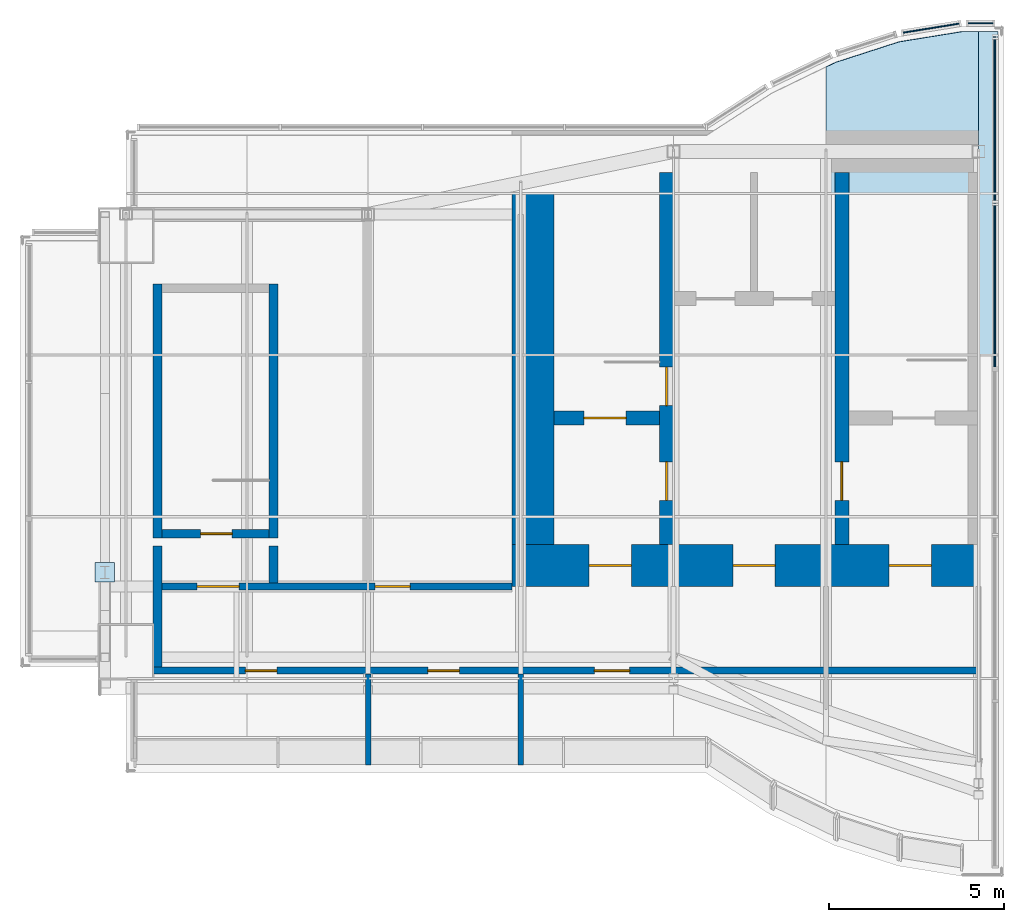
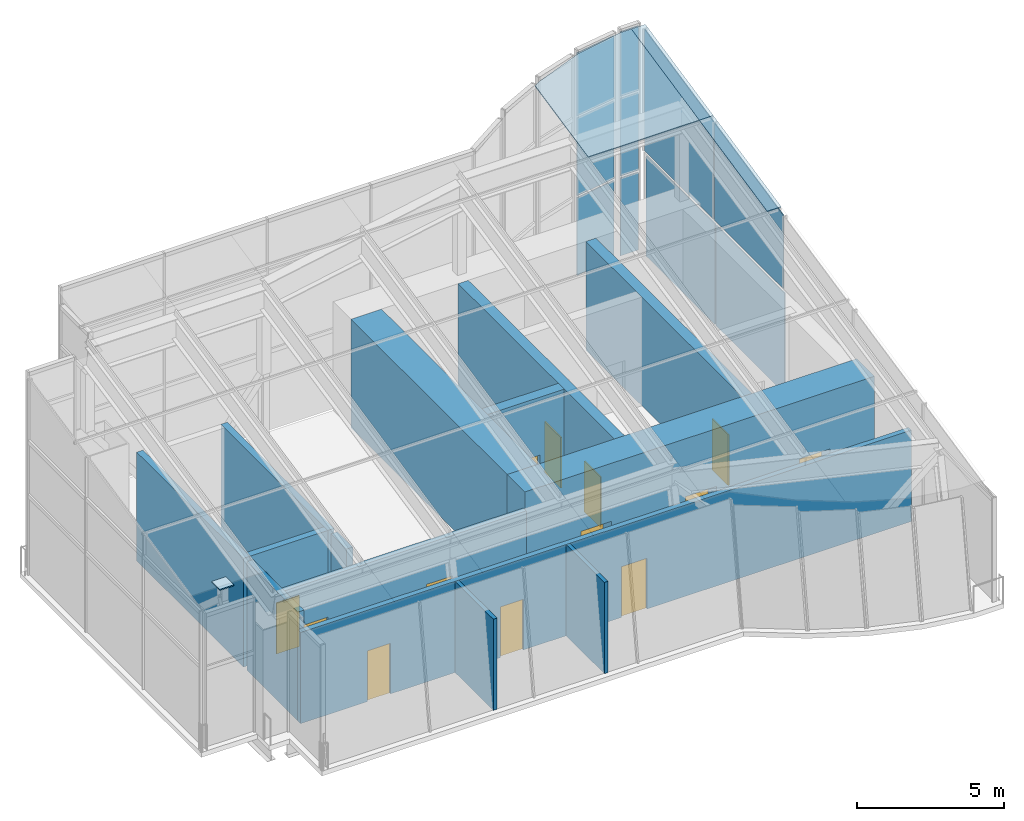
# One storey, part 6 of 8: 14 plates, 14 walls, 13 doors, 13 openings, 6 elements without a shape of their own.
"""IFC4 building model written with IfcOpenShell, lengths in metres."""

from ifc_helpers import new_model, si_unit, direction, frame, frame_2d, origin, origin_2d, place, context, subcontext, project, spatial, polyline, rectangle, outline, extrude, material, layer, layer_set, type_object, element, fill, aggregate, save


model = new_model("IFC4")

# Units and contexts
model_context = context("Model", 3, precision=1e-05, world=origin(), true_north=direction((0.0, 1.0)))
body_context = subcontext(model_context, "Body", "Model", "MODEL_VIEW")
ifc_project = project(units=[si_unit("LENGTHUNIT", "METRE"), si_unit("AREAUNIT", "SQUARE_METRE"), si_unit("VOLUMEUNIT", "CUBIC_METRE"), si_unit("PLANEANGLEUNIT", "RADIAN"), si_unit("MASSUNIT", "GRAM", prefix="KILO")], contexts=[model_context])

# Site, building, storey
site_placement = place(None, origin())
site = spatial("IfcSite", under=ifc_project, at=site_placement, CompositionType="ELEMENT")
building_placement = place(site_placement, origin())
building = spatial("IfcBuilding", under=site, at=building_placement, Name="Bicima Exchange Tower", CompositionType="ELEMENT")
storey_placement = place(building_placement, frame((0.0, 0.0, 379.39990234375)))
storey = spatial("IfcBuildingStorey", under=building, at=storey_placement, Name="L85", CompositionType="ELEMENT", Elevation=379.39990234375)

# Plate
ifc_material_1 = material(Name="Steel ASTM A572 Gr 50", Category="steel")
ifc_layer_1 = layer(ifc_material_1, 0.050048828125)
ifc_layer_set_1 = layer_set([ifc_layer_1], Name="Steel ASTM A572 Gr 50")
plate_type_1 = type_object("IfcPlateType", Name="Column head plate 50", PredefinedType="SHEET", material=ifc_layer_set_1)
plate_1_placement = place(storey_placement, frame((-33.60009765625, -12.60009765625, 4.5), z_axis=(0.0, 0.0, 1.0), x_axis=(1.0, 0.0, 0.0)))
element("IfcPlate", 1, at=plate_1_placement, inside=storey, type_object=plate_type_1, Name="Column head plate end-33.6e", PredefinedType="SHEET", context=body_context, shape_type="SweptSolid", body=[
    extrude(rectangle(XDim=0.552978515625, YDim=0.552978515625, at=origin_2d()), origin(), (0.0, 0.0, 1.0), 0.050048828125),
])

# Curtain wall, plates
ifc_material_2 = material(Name="Anodised bronze aluminium", Category="aluminium")
curtain_wall_type = type_object("IfcCurtainWallType", Name="Crown glass wall", PredefinedType="NOTDEFINED", material=ifc_material_2)
curtain_wall_1_placement = place(storey_placement, origin())
curtain_wall_1 = element("IfcCurtainWall", 2, at=curtain_wall_1_placement, inside=storey, type_object=curtain_wall_type, Name="Crown glass wall L85 run 2", PredefinedType="NOTDEFINED")
ifc_material_3 = material(Name="Bronze tinted glass", Category="glass")
ifc_layer_2 = layer(ifc_material_3, 0.035888671875)
ifc_layer_set_2 = layer_set([ifc_layer_2], Name="Bronze tinted glass")
plate_type_2 = type_object("IfcPlateType", Name="Crown glass wall glass panel 36", PredefinedType="CURTAIN_PANEL", material=ifc_layer_set_2)
plate_2_placement = place(storey_placement, frame((-8.22998046875, -4.470947265625, 0.0), z_axis=(0.0, 0.0, 1.0), x_axis=(0.0, 1.0, 0.0)))
plate_2 = element("IfcPlate", 3, at=plate_2_placement, type_object=plate_type_2, Name="Crown glass wall panel 4.1", PredefinedType="CURTAIN_PANEL", context=body_context, shape_type="SweptSolid", body=[
    extrude(rectangle(XDim=4.66259765625, YDim=0.035888671875, at=origin_2d()), origin(), (0.0, 0.0, 1.0), 4.15771484375),
])
plate_3_placement = place(storey_placement, frame((-8.22998046875, 0.251708984375, 0.0), z_axis=(0.0, 0.0, 1.0), x_axis=(0.0, 1.0, 0.0)))
plate_3 = element("IfcPlate", 4, at=plate_3_placement, type_object=plate_type_2, Name="Crown glass wall panel 5.1", PredefinedType="CURTAIN_PANEL", context=body_context, shape_type="SweptSolid", body=[
    extrude(rectangle(XDim=4.66259765625, YDim=0.035888671875, at=origin_2d()), origin(), (0.0, 0.0, 1.0), 4.15771484375),
])
aggregate(curtain_wall_1, [plate_2, plate_3])

curtain_wall_2_placement = place(storey_placement, origin())
curtain_wall_2 = element("IfcCurtainWall", 5, at=curtain_wall_2_placement, inside=storey, type_object=curtain_wall_type, Name="Crown glass wall L85 run 3", PredefinedType="NOTDEFINED")
plate_4_placement = place(storey_placement, frame((-8.64404296875, 3.052978515625, 0.0), z_axis=(0.0, 0.0, 1.0), x_axis=(-1.0, 0.0, 0.0)))
plate_4 = element("IfcPlate", 6, at=plate_4_placement, type_object=plate_type_2, Name="Crown glass wall panel 1.1", PredefinedType="CURTAIN_PANEL", context=body_context, shape_type="SweptSolid", body=[
    extrude(rectangle(XDim=0.708251953125, YDim=0.035888671875, at=origin_2d()), origin(), (0.0, 0.0, 1.0), 3.219970703125),
])
plate_5_placement = place(storey_placement, frame((-8.64404296875, 3.052978515625, 3.30029296875), z_axis=(0.0, 0.0, 1.0), x_axis=(-1.0, 0.0, 0.0)))
plate_5 = element("IfcPlate", 7, at=plate_5_placement, type_object=plate_type_2, Name="Crown glass wall panel 1.2", PredefinedType="CURTAIN_PANEL", context=body_context, shape_type="SweptSolid", body=[
    extrude(rectangle(XDim=0.708251953125, YDim=0.035888671875, at=origin_2d()), origin(), (0.0, 0.0, 1.0), 3.219970703125),
])
plate_6_placement = place(storey_placement, frame((-8.64404296875, 3.052978515625, 6.60009765625), z_axis=(0.0, 0.0, 1.0), x_axis=(-1.0, 0.0, 0.0)))
plate_6 = element("IfcPlate", 8, at=plate_6_placement, type_object=plate_type_2, Name="Crown glass wall panel 1.3", PredefinedType="CURTAIN_PANEL", context=body_context, shape_type="SweptSolid", body=[
    extrude(rectangle(XDim=0.708251953125, YDim=0.035888671875, at=origin_2d()), origin(), (0.0, 0.0, 1.0), 2.676513671875),
])
aggregate(curtain_wall_2, [plate_4, plate_5, plate_6])

curtain_wall_3_placement = place(storey_placement, origin())
curtain_wall_3 = element("IfcCurtainWall", 9, at=curtain_wall_3_placement, inside=storey, type_object=curtain_wall_type, Name="Crown glass wall L85 run 4", PredefinedType="NOTDEFINED")
plate_7_placement = place(storey_placement, frame((-10.0537109375, 2.910888671875, 0.0), z_axis=(0.0, 0.0, 1.0), x_axis=(-0.987189786347, -0.159550386184, 0.0)))
plate_7 = element("IfcPlate", 10, at=plate_7_placement, type_object=plate_type_2, Name="Crown glass wall panel 1.1", PredefinedType="CURTAIN_PANEL", context=body_context, shape_type="SweptSolid", body=[
    extrude(rectangle(XDim=1.611083984375, YDim=0.035888671875, at=origin_2d()), origin(), (0.0, 0.0, 1.0), 3.219970703125),
])
plate_8_placement = place(storey_placement, frame((-10.0537109375, 2.910888671875, 3.30029296875), z_axis=(0.0, 0.0, 1.0), x_axis=(-0.987189786347, -0.159550386184, 0.0)))
plate_8 = element("IfcPlate", 11, at=plate_8_placement, type_object=plate_type_2, Name="Crown glass wall panel 1.2", PredefinedType="CURTAIN_PANEL", context=body_context, shape_type="SweptSolid", body=[
    extrude(rectangle(XDim=1.611083984375, YDim=0.035888671875, at=origin_2d()), origin(), (0.0, 0.0, 1.0), 3.219970703125),
])
plate_9_placement = place(storey_placement, frame((-10.0537109375, 2.910888671875, 6.60009765625), z_axis=(0.0, 0.0, 1.0), x_axis=(-0.987189786347, -0.159550386184, 0.0)))
plate_9 = element("IfcPlate", 12, at=plate_9_placement, type_object=plate_type_2, Name="Crown glass wall panel 1.3", PredefinedType="CURTAIN_PANEL", context=body_context, shape_type="SweptSolid", body=[
    extrude(rectangle(XDim=1.611083984375, YDim=0.035888671875, at=origin_2d()), origin(), (0.0, 0.0, 1.0), 2.616943359375),
])
aggregate(curtain_wall_3, [plate_7, plate_8, plate_9])

curtain_wall_4_placement = place(storey_placement, origin())
curtain_wall_4 = element("IfcCurtainWall", 13, at=curtain_wall_4_placement, inside=storey, type_object=curtain_wall_type, Name="Gable glazing west 2", PredefinedType="NOTDEFINED")
plate_10_placement = place(storey_placement, frame((-8.22998046875, -6.748291015625, 4.317626953125), z_axis=(1.0, 0.0, 0.0), x_axis=(0.0, 1.0, 0.0)))
plate_10 = element("IfcPlate", 14, at=plate_10_placement, type_object=plate_type_2, Name="Gable glazing panel 4", PredefinedType="CURTAIN_PANEL", context=body_context, shape_type="SweptSolid", body=[
    extrude(outline(polyline([(0.0, 0.0), (4.6806640625, 0.0), (4.6806640625, 4.03076171875), (0.0, 3.035888671875), (0.0, 0.0)])), origin(), (0.0, 0.0, -1.0), 0.035888671875),
])
plate_11_placement = place(storey_placement, frame((-8.22998046875, -2.007568359375, 4.317626953125), z_axis=(1.0, 0.0, 0.0), x_axis=(0.0, 1.0, 0.0)))
plate_11 = element("IfcPlate", 15, at=plate_11_placement, type_object=plate_type_2, Name="Gable glazing panel 5", PredefinedType="CURTAIN_PANEL", context=body_context, shape_type="SweptSolid", body=[
    extrude(outline(polyline([(0.0, 0.0), (4.6806640625, 0.0), (4.6806640625, 5.038330078125), (0.0, 4.04345703125), (0.0, 0.0)])), origin(), (0.0, 0.0, -1.0), 0.035888671875),
])
aggregate(curtain_wall_4, [plate_10, plate_11])

# Curtain wall, plate
curtain_wall_5_placement = place(storey_placement, origin())
curtain_wall_5 = element("IfcCurtainWall", 16, at=curtain_wall_5_placement, inside=storey, type_object=curtain_wall_type, Name="Roof edge glazing west 7.5", PredefinedType="NOTDEFINED")
ifc_material_4 = material(Name="Bronze tinted safety glass, interlayer bonded", Category="glass")
ifc_layer_3 = layer(ifc_material_4, 0.0439453125)
ifc_layer_set_3 = layer_set([ifc_layer_3], Name="Bronze tinted safety glass, interlayer bonded")
plate_type_3 = type_object("IfcPlateType", Name="Glass roof panel 44", PredefinedType="CURTAIN_PANEL", material=ifc_layer_set_3)
plate_12_placement = place(storey_placement, frame((-12.777099609375, 1.9345703125, 9.243896484375), z_axis=(-3.883092e-06, -0.207897148601, 0.978150691657), x_axis=(0.94947630714, 0.306980794534, 0.065249781355)))
plate_12 = element("IfcPlate", 17, at=plate_12_placement, type_object=plate_type_3, Name="Glass roof panel west 7.5", PredefinedType="CURTAIN_PANEL", context=body_context, shape_type="SweptSolid", body=[
    extrude(outline(polyline([(0.0, 0.0), (1.9086899226742193, 7.979727989493313e-17), (3.721145739870073, -0.2841419245799313), (4.152999831716298, -0.4268864400437154), (2.674082650716467, -4.90114896387005), (-1.456232007638896, -3.535919883605045), (-0.3016117741396101, -0.04277360976221091), (0.0, 0.0)])), origin(), (0.0, 0.0, -1.0), 0.0439453125),
])
aggregate(curtain_wall_5, [plate_12])

# Curtain wall, plates
curtain_wall_6_placement = place(storey_placement, origin())
curtain_wall_6 = element("IfcCurtainWall", 18, at=curtain_wall_6_placement, inside=storey, type_object=curtain_wall_type, Name="Roof glazing west", PredefinedType="NOTDEFINED")
plate_13_placement = place(storey_placement, frame((-8.14990234375, -6.405517578125, 7.47119140625), z_axis=(0.0, -0.207918862456, 0.978146076328), x_axis=(-1.0, 0.0, 0.0)))
plate_13 = element("IfcPlate", 19, at=plate_13_placement, type_object=plate_type_3, Name="Glass roof panel west 8.4", PredefinedType="CURTAIN_PANEL", context=body_context, shape_type="SweptSolid", body=[
    extrude(outline(polyline([(0.0, 0.0), (0.550048828125, 0.0), (0.550048828125, -4.7121089282285045), (0.0, -4.7121089282285045), (0.0, 0.0)])), origin(), (0.0, 0.0, -1.0), 0.0439453125),
])
plate_14_placement = place(storey_placement, frame((-8.14990234375, -1.79638671875, 8.450927734375), z_axis=(0.0, -0.207908325848, 0.978148315974), x_axis=(-1.0, 0.0, 0.0)))
plate_14 = element("IfcPlate", 20, at=plate_14_placement, type_object=plate_type_3, Name="Glass roof panel west 8.5", PredefinedType="CURTAIN_PANEL", context=body_context, shape_type="SweptSolid", body=[
    extrude(outline(polyline([(0.0, 0.0), (0.550048828125, 0.0), (0.550048828125, -4.712347733696322), (0.0, -4.712347733696322), (0.0, 0.0)])), origin(), (0.0, 0.0, -1.0), 0.0439453125),
])
aggregate(curtain_wall_6, [plate_13, plate_14])

# Wall, openings, doors
ifc_material_5 = material(Name="Gypsum board partition")
ifc_layer_4 = layer(ifc_material_5, 0.199951171875)
ifc_layer_set_4 = layer_set([ifc_layer_4], Name="Gypsum board partition")
wall_type_1 = type_object("IfcWallType", Name="Fire-rated gypsum partition 200 EI60", PredefinedType="PARTITIONING", material=ifc_layer_set_4)
wall_1_placement = place(storey_placement, frame((-32.22509765625, -15.39990234375, 0.0), z_axis=(0.0, 0.0, 1.0), x_axis=(1.0, 0.0, 0.0)))
wall_1 = element("IfcWall", 21, at=wall_1_placement, inside=storey, type_object=wall_type_1, Name="partition wall 1", PredefinedType="PARTITIONING", context=body_context, shape_type="SweptSolid", body=[
    extrude(rectangle(XDim=23.925048828125, YDim=0.199951171875, at=frame_2d((11.96240234375, 0.0))), origin(), (0.0, 0.0, 1.0), 3.780029296875),
])
opening_1_placement = place(wall_1_placement, frame((2.625, 0.0, 0.0)))
opening_1 = element("IfcOpeningElement", 22, at=opening_1_placement, cuts=wall_1, Name="Opening L85-004", PredefinedType="OPENING", context=body_context, shape_type="SweptSolid", body=[
    extrude(rectangle(XDim=0.89990234375, YDim=2.10009765625, at=frame_2d((0.449951171875, 1.050048828125))), frame((0.0, 0.11181640625, 0.0), z_axis=(0.0, -1.0, 0.0), x_axis=(1.0, 0.0, 0.0)), (0.0, 0.0, 1.0), 0.223876953125),
])
opening_2_placement = place(wall_1_placement, frame((7.824951171875, 0.0, 0.0)))
opening_2 = element("IfcOpeningElement", 23, at=opening_2_placement, cuts=wall_1, Name="Opening L85-005", PredefinedType="OPENING", context=body_context, shape_type="SweptSolid", body=[
    extrude(rectangle(XDim=0.89990234375, YDim=2.10009765625, at=frame_2d((0.449951171875, 1.050048828125))), frame((0.0, 0.11181640625, 0.0), z_axis=(0.0, -1.0, 0.0), x_axis=(1.0, 0.0, 0.0)), (0.0, 0.0, 1.0), 0.223876953125),
])
opening_3_placement = place(wall_1_placement, frame((12.574951171875, 0.0, 0.0)))
opening_3 = element("IfcOpeningElement", 24, at=opening_3_placement, cuts=wall_1, Name="Opening L85-006", PredefinedType="OPENING", context=body_context, shape_type="SweptSolid", body=[
    extrude(rectangle(XDim=1.0, YDim=2.10009765625, at=frame_2d((0.5, 1.050048828125))), frame((0.0, 0.11181640625, 0.0), z_axis=(0.0, -1.0, 0.0), x_axis=(1.0, 0.0, 0.0)), (0.0, 0.0, 1.0), 0.223876953125),
])
ifc_material_6 = material(Name="Steel fire door leaf", Category="steel")
door_type_1 = type_object("IfcDoorType", Name="Door 1000 swing FD30S", OperationType="SINGLE_SWING_LEFT", PredefinedType="DOOR", material=ifc_material_6)
door_1_placement = place(opening_3_placement, frame((1.0, 0.0, 0.0), z_axis=(0.0, 0.0, 1.0), x_axis=(-1.0, 0.0, 0.0)))
door_1 = element("IfcDoor", 25, at=door_1_placement, inside=storey, type_object=door_type_1, Name="Door", OperationType="SINGLE_SWING_RIGHT", OverallHeight=2.10009765625, OverallWidth=1.0, PredefinedType="DOOR", context=body_context, shape_type="SweptSolid", body=[
    extrude(rectangle(XDim=1.0, YDim=2.10009765625, at=frame_2d((0.5, 1.050048828125))), frame((0.0, 0.02490234375, 0.0), z_axis=(0.0, -1.0, 0.0), x_axis=(1.0, 0.0, 0.0)), (0.0, 0.0, 1.0), 0.050048828125),
])
fill(opening_3, door_1)
door_type_2 = type_object("IfcDoorType", Name="Door 900 swing FD30S", OperationType="SINGLE_SWING_LEFT", PredefinedType="DOOR", material=ifc_material_6)
door_2_placement = place(opening_1_placement, frame((0.89990234375, 0.0, 0.0), z_axis=(0.0, 0.0, 1.0), x_axis=(-1.0, 0.0, 0.0)))
door_2 = element("IfcDoor", 26, at=door_2_placement, inside=storey, type_object=door_type_2, Name="Door", OperationType="SINGLE_SWING_LEFT", OverallHeight=2.10009765625, OverallWidth=0.89990234375, PredefinedType="DOOR", context=body_context, shape_type="SweptSolid", body=[
    extrude(rectangle(XDim=0.89990234375, YDim=2.10009765625, at=frame_2d((0.449951171875, 1.050048828125))), frame((0.0, 0.02490234375, 0.0), z_axis=(0.0, -1.0, 0.0), x_axis=(1.0, 0.0, 0.0)), (0.0, 0.0, 1.0), 0.050048828125),
])
fill(opening_1, door_2)
door_3_placement = place(opening_2_placement, frame((0.89990234375, 0.0, 0.0), z_axis=(0.0, 0.0, 1.0), x_axis=(-1.0, 0.0, 0.0)))
door_3 = element("IfcDoor", 27, at=door_3_placement, inside=storey, type_object=door_type_2, Name="Door", OperationType="SINGLE_SWING_RIGHT", OverallHeight=2.10009765625, OverallWidth=0.89990234375, PredefinedType="DOOR", context=body_context, shape_type="SweptSolid", body=[
    extrude(rectangle(XDim=0.89990234375, YDim=2.10009765625, at=frame_2d((0.449951171875, 1.050048828125))), frame((0.0, 0.02490234375, 0.0), z_axis=(0.0, -1.0, 0.0), x_axis=(1.0, 0.0, 0.0)), (0.0, 0.0, 1.0), 0.050048828125),
])
fill(opening_2, door_3)

wall_2_placement = place(storey_placement, frame((-31.97509765625, -13.0, 0.0), z_axis=(0.0, 0.0, 1.0), x_axis=(1.0, 0.0, 0.0)))
wall_2 = element("IfcWall", 28, at=wall_2_placement, inside=storey, type_object=wall_type_1, Name="partition wall 2", PredefinedType="PARTITIONING", context=body_context, shape_type="SweptSolid", body=[
    extrude(rectangle(XDim=9.97509765625, YDim=0.199951171875, at=frame_2d((4.987548828125, 0.0))), origin(), (0.0, 0.0, 1.0), 3.780029296875),
])
opening_4_placement = place(wall_2_placement, frame((1.0, 0.0, 0.0)))
opening_4 = element("IfcOpeningElement", 29, at=opening_4_placement, cuts=wall_2, Name="Opening L85-001", PredefinedType="OPENING", context=body_context, shape_type="SweptSolid", body=[
    extrude(rectangle(XDim=1.199951171875, YDim=2.10009765625, at=frame_2d((0.60009765625, 1.050048828125))), frame((0.0, 0.11181640625, 0.0), z_axis=(0.0, -1.0, 0.0), x_axis=(1.0, 0.0, 0.0)), (0.0, 0.0, 1.0), 0.223876953125),
])
opening_5_placement = place(wall_2_placement, frame((6.074951171875, 0.0, 0.0)))
opening_5 = element("IfcOpeningElement", 30, at=opening_5_placement, cuts=wall_2, Name="Opening L85-003", PredefinedType="OPENING", context=body_context, shape_type="SweptSolid", body=[
    extrude(rectangle(XDim=1.0, YDim=2.10009765625, at=frame_2d((0.5, 1.050048828125))), frame((0.0, 0.11181640625, 0.0), z_axis=(0.0, -1.0, 0.0), x_axis=(1.0, 0.0, 0.0)), (0.0, 0.0, 1.0), 0.223876953125),
])
door_4_placement = place(opening_5_placement, origin())
door_4 = element("IfcDoor", 31, at=door_4_placement, inside=storey, type_object=door_type_1, Name="Door", OperationType="SINGLE_SWING_RIGHT", OverallHeight=2.10009765625, OverallWidth=1.0, PredefinedType="DOOR", context=body_context, shape_type="SweptSolid", body=[
    extrude(rectangle(XDim=1.0, YDim=2.10009765625, at=frame_2d((0.5, 1.050048828125))), frame((0.0, 0.02490234375, 0.0), z_axis=(0.0, -1.0, 0.0), x_axis=(1.0, 0.0, 0.0)), (0.0, 0.0, 1.0), 0.050048828125),
])
fill(opening_5, door_4)
door_type_3 = type_object("IfcDoorType", Name="Door 1200 swing FD30S", OperationType="SINGLE_SWING_LEFT", PredefinedType="DOOR", material=ifc_material_6)
door_5_placement = place(opening_4_placement, origin())
door_5 = element("IfcDoor", 32, at=door_5_placement, inside=storey, type_object=door_type_3, Name="Door", OperationType="SINGLE_SWING_LEFT", OverallHeight=2.10009765625, OverallWidth=1.199951171875, PredefinedType="DOOR", context=body_context, shape_type="SweptSolid", body=[
    extrude(rectangle(XDim=1.199951171875, YDim=2.10009765625, at=frame_2d((0.60009765625, 1.050048828125))), frame((0.0, 0.02490234375, 0.0), z_axis=(0.0, -1.0, 0.0), x_axis=(1.0, 0.0, 0.0)), (0.0, 0.0, 1.0), 0.050048828125),
])
fill(opening_4, door_5)

# Walls
ifc_layer_5 = layer(ifc_material_5, 0.14990234375)
ifc_layer_set_5 = layer_set([ifc_layer_5], Name="Gypsum board partition")
wall_type_2 = type_object("IfcWallType", Name="Gypsum partition 150", PredefinedType="PARTITIONING", material=ifc_layer_set_5)
for number, where, z_axis, x_axis, name in (
    (33, (-26.10009765625, -18.090087890625, 0.0), (0.0, 0.0, 1.0), (0.0, 1.0, 0.0), "partition wall 7"),
    (34, (-21.75, -18.090087890625, 0.0), (0.0, 0.0, 1.0), (0.0, 1.0, 0.0), "partition wall 8"),
):
    element("IfcWall", number, at=place(storey_placement, frame(where, z_axis=z_axis, x_axis=x_axis)), inside=storey, type_object=wall_type_2, Name=name, PredefinedType="PARTITIONING", context=body_context, shape_type="SweptSolid", body=[
        extrude(rectangle(XDim=2.590087890625, YDim=0.14990234375, at=frame_2d((1.294921875, 0.0))), origin(), (0.0, 0.0, 1.0), 3.780029296875),
    ])

# Wall, openings, doors
ifc_material_7 = material(Name="Concrete C40/50", Category="concrete")
ifc_layer_6 = layer(ifc_material_7, 1.199951171875)
ifc_layer_set_6 = layer_set([ifc_layer_6], Name="Concrete C40/50")
wall_type_3 = type_object("IfcWallType", Name="RC core wall 1200 C40/50", PredefinedType="SHEAR", material=ifc_layer_set_6)
wall_3_placement = place(storey_placement, frame((-22.0, -12.39990234375, 0.0), z_axis=(0.0, 0.0, 1.0), x_axis=(1.0, 0.0, 0.0)))
wall_3 = element("IfcWall", 35, at=wall_3_placement, inside=storey, type_object=wall_type_3, Name="Core wall south-W", PredefinedType="SHEAR", context=body_context, shape_type="SweptSolid", body=[
    extrude(rectangle(XDim=13.699951171875, YDim=1.199951171875, at=frame_2d((6.85009765625, 0.0))), origin(), (0.0, 0.0, 1.0), 4.5),
])
opening_6_placement = place(wall_3_placement, frame((2.199951171875, 0.0, 0.0)))
opening_6 = element("IfcOpeningElement", 36, at=opening_6_placement, cuts=wall_3, Name="Opening L85-C06", PredefinedType="OPENING", context=body_context, shape_type="SweptSolid", body=[
    extrude(rectangle(XDim=1.199951171875, YDim=2.10009765625, at=frame_2d((0.60009765625, 1.050048828125))), frame((0.0, 0.61181640625, 0.0), z_axis=(0.0, -1.0, 0.0), x_axis=(1.0, 0.0, 0.0)), (0.0, 0.0, 1.0), 1.223876953125),
])
opening_7_placement = place(wall_3_placement, frame((10.75, 0.0, 0.0)))
opening_7 = element("IfcOpeningElement", 37, at=opening_7_placement, cuts=wall_3, Name="Opening L85-C07", PredefinedType="OPENING", context=body_context, shape_type="SweptSolid", body=[
    extrude(rectangle(XDim=1.199951171875, YDim=2.10009765625, at=frame_2d((0.60009765625, 1.050048828125))), frame((0.0, 0.61181640625, 0.0), z_axis=(0.0, -1.0, 0.0), x_axis=(1.0, 0.0, 0.0)), (0.0, 0.0, 1.0), 1.223876953125),
])
opening_8_placement = place(wall_3_placement, frame((6.300048828125, 0.0, 0.0)))
opening_8 = element("IfcOpeningElement", 38, at=opening_8_placement, cuts=wall_3, Name="Opening L85-C08", PredefinedType="OPENING", context=body_context, shape_type="SweptSolid", body=[
    extrude(rectangle(XDim=1.199951171875, YDim=2.10009765625, at=frame_2d((0.60009765625, 1.050048828125))), frame((0.0, 0.61181640625, 0.0), z_axis=(0.0, -1.0, 0.0), x_axis=(1.0, 0.0, 0.0)), (0.0, 0.0, 1.0), 1.223876953125),
])
door_type_4 = type_object("IfcDoorType", Name="Door 1200 swing FD60S", OperationType="SINGLE_SWING_LEFT", PredefinedType="DOOR", material=ifc_material_6)
door_6_placement = place(opening_6_placement, frame((1.199951171875, 0.0, 0.0), z_axis=(0.0, 0.0, 1.0), x_axis=(-1.0, 0.0, 0.0)))
door_6 = element("IfcDoor", 39, at=door_6_placement, inside=storey, type_object=door_type_4, Name="Core door", OperationType="SINGLE_SWING_RIGHT", OverallHeight=2.10009765625, OverallWidth=1.199951171875, PredefinedType="DOOR", context=body_context, shape_type="SweptSolid", body=[
    extrude(rectangle(XDim=1.199951171875, YDim=2.10009765625, at=frame_2d((0.60009765625, 1.050048828125))), frame((0.0, 0.02490234375, 0.0), z_axis=(0.0, -1.0, 0.0), x_axis=(1.0, 0.0, 0.0)), (0.0, 0.0, 1.0), 0.050048828125),
])
fill(opening_6, door_6)
door_7_placement = place(opening_7_placement, frame((1.199951171875, 0.0, 0.0), z_axis=(0.0, 0.0, 1.0), x_axis=(-1.0, 0.0, 0.0)))
door_7 = element("IfcDoor", 40, at=door_7_placement, inside=storey, type_object=door_type_4, Name="Core door", OperationType="SINGLE_SWING_RIGHT", OverallHeight=2.10009765625, OverallWidth=1.199951171875, PredefinedType="DOOR", context=body_context, shape_type="SweptSolid", body=[
    extrude(rectangle(XDim=1.199951171875, YDim=2.10009765625, at=frame_2d((0.60009765625, 1.050048828125))), frame((0.0, 0.02490234375, 0.0), z_axis=(0.0, -1.0, 0.0), x_axis=(1.0, 0.0, 0.0)), (0.0, 0.0, 1.0), 0.050048828125),
])
fill(opening_7, door_7)
door_8_placement = place(opening_8_placement, frame((1.199951171875, 0.0, 0.0), z_axis=(0.0, 0.0, 1.0), x_axis=(-1.0, 0.0, 0.0)))
door_8 = element("IfcDoor", 41, at=door_8_placement, inside=storey, type_object=door_type_4, Name="Core door", OperationType="SINGLE_SWING_RIGHT", OverallHeight=2.10009765625, OverallWidth=1.199951171875, PredefinedType="DOOR", context=body_context, shape_type="SweptSolid", body=[
    extrude(rectangle(XDim=1.199951171875, YDim=2.10009765625, at=frame_2d((0.60009765625, 1.050048828125))), frame((0.0, 0.02490234375, 0.0), z_axis=(0.0, -1.0, 0.0), x_axis=(1.0, 0.0, 0.0)), (0.0, 0.0, 1.0), 0.050048828125),
])
fill(opening_8, door_8)

# Walls
wall_4_placement = place(storey_placement, frame((-21.39990234375, -11.800048828125, 0.0), z_axis=(0.0, 0.0, 1.0), x_axis=(0.0, 1.0, 0.0)))
element("IfcWall", 42, at=wall_4_placement, inside=storey, type_object=wall_type_3, Name="Core wall outer-W", PredefinedType="SHEAR", context=body_context, shape_type="SweptSolid", body=[
    extrude(rectangle(XDim=10.60009765625, YDim=1.199951171875, at=frame_2d((5.300048828125, 0.0))), origin(), (0.0, 0.0, 1.0), 4.5),
])
ifc_material_8 = material(Name="Concrete C50/60", Category="concrete")
ifc_layer_7 = layer(ifc_material_8, 0.25)
ifc_layer_set_7 = layer_set([ifc_layer_7], Name="Concrete C50/60")
wall_type_4 = type_object("IfcWallType", Name="RC core wall 250 C50/60", PredefinedType="SHEAR", material=ifc_layer_set_7)
wall_5_placement = place(storey_placement, frame((-32.10009765625, -15.300048828125, 0.0), z_axis=(0.0, 0.0, 1.0), x_axis=(0.0, 1.0, 0.0)))
element("IfcWall", 43, at=wall_5_placement, inside=storey, type_object=wall_type_4, Name="stair wall 5", PredefinedType="SHEAR", context=body_context, shape_type="SweptSolid", body=[
    extrude(rectangle(XDim=3.449951171875, YDim=0.25, at=frame_2d((1.72509765625, 0.0))), origin(), (0.0, 0.0, 1.0), 4.5),
])
wall_6_placement = place(storey_placement, frame((-28.800048828125, -12.89990234375, 0.0), z_axis=(0.0, 0.0, 1.0), x_axis=(0.0, 1.0, 0.0)))
element("IfcWall", 44, at=wall_6_placement, inside=storey, type_object=wall_type_4, Name="stair wall 6", PredefinedType="SHEAR", context=body_context, shape_type="SweptSolid", body=[
    extrude(rectangle(XDim=1.0498046875, YDim=0.25, at=frame_2d((0.52490234375, 0.0))), origin(), (0.0, 0.0, 1.0), 4.5),
])

# Wall, opening, door
ifc_layer_8 = layer(ifc_material_8, 0.39990234375)
ifc_layer_set_8 = layer_set([ifc_layer_8], Name="Concrete C50/60")
wall_type_5 = type_object("IfcWallType", Name="RC core wall 400 C50/60", PredefinedType="SHEAR", material=ifc_layer_set_8)
wall_7_placement = place(storey_placement, frame((-20.800048828125, -8.199951171875, 0.0), z_axis=(0.0, 0.0, 1.0), x_axis=(1.0, 0.0, 0.0)))
wall_7 = element("IfcWall", 45, at=wall_7_placement, inside=storey, type_object=wall_type_5, Name="stair wall 1", PredefinedType="SHEAR", context=body_context, shape_type="SweptSolid", body=[
    extrude(rectangle(XDim=3.0, YDim=0.39990234375, at=frame_2d((1.5, 0.0))), origin(), (0.0, 0.0, 1.0), 4.5),
])
opening_9_placement = place(wall_7_placement, frame((0.85009765625, 0.0, 0.0)))
opening_9 = element("IfcOpeningElement", 46, at=opening_9_placement, cuts=wall_7, Name="Opening L85-C01", PredefinedType="OPENING", context=body_context, shape_type="SweptSolid", body=[
    extrude(rectangle(XDim=1.199951171875, YDim=2.10009765625, at=frame_2d((0.60009765625, 1.050048828125))), frame((0.0, 0.2119140625, 0.0), z_axis=(0.0, -1.0, 0.0), x_axis=(1.0, 0.0, 0.0)), (0.0, 0.0, 1.0), 0.423828125),
])
door_9_placement = place(opening_9_placement, origin())
door_9 = element("IfcDoor", 47, at=door_9_placement, inside=storey, type_object=door_type_4, Name="Core door", OperationType="SINGLE_SWING_LEFT", OverallHeight=2.10009765625, OverallWidth=1.199951171875, PredefinedType="DOOR", context=body_context, shape_type="SweptSolid", body=[
    extrude(rectangle(XDim=1.199951171875, YDim=2.10009765625, at=frame_2d((0.60009765625, 1.050048828125))), frame((0.0, 0.02490234375, 0.0), z_axis=(0.0, -1.0, 0.0), x_axis=(1.0, 0.0, 0.0)), (0.0, 0.0, 1.0), 0.050048828125),
])
fill(opening_9, door_9)

# Wall, openings, doors
wall_8_placement = place(storey_placement, frame((-17.60009765625, -11.800048828125, 0.0), z_axis=(0.0, 0.0, 1.0), x_axis=(0.0, 1.0, 0.0)))
wall_8 = element("IfcWall", 48, at=wall_8_placement, inside=storey, type_object=wall_type_5, Name="stair wall 4", PredefinedType="SHEAR", context=body_context, shape_type="SweptSolid", body=[
    extrude(rectangle(XDim=10.60009765625, YDim=0.39990234375, at=frame_2d((5.300048828125, 0.0))), origin(), (0.0, 0.0, 1.0), 4.5),
])
opening_10_placement = place(wall_8_placement, frame((1.25, 0.0, 0.0)))
opening_10 = element("IfcOpeningElement", 49, at=opening_10_placement, cuts=wall_8, Name="Opening L85-C02", PredefinedType="OPENING", context=body_context, shape_type="SweptSolid", body=[
    extrude(rectangle(XDim=1.10009765625, YDim=2.10009765625, at=frame_2d((0.550048828125, 1.050048828125))), frame((0.0, 0.2119140625, 0.0), z_axis=(0.0, -1.0, 0.0), x_axis=(1.0, 0.0, 0.0)), (0.0, 0.0, 1.0), 0.423828125),
])
opening_11_placement = place(wall_8_placement, frame((3.949951171875, 0.0, 0.0)))
opening_11 = element("IfcOpeningElement", 50, at=opening_11_placement, cuts=wall_8, Name="Opening L85-C05", PredefinedType="OPENING", context=body_context, shape_type="SweptSolid", body=[
    extrude(rectangle(XDim=1.10009765625, YDim=2.10009765625, at=frame_2d((0.550048828125, 1.050048828125))), frame((0.0, 0.2119140625, 0.0), z_axis=(0.0, -1.0, 0.0), x_axis=(1.0, 0.0, 0.0)), (0.0, 0.0, 1.0), 0.423828125),
])
door_type_5 = type_object("IfcDoorType", Name="Door 1100 swing FD60S", OperationType="SINGLE_SWING_LEFT", PredefinedType="DOOR", material=ifc_material_6)
door_10_placement = place(opening_10_placement, frame((1.10009765625, 0.0, 0.0), z_axis=(0.0, 0.0, 1.0), x_axis=(-1.0, 0.0, 0.0)))
door_10 = element("IfcDoor", 51, at=door_10_placement, inside=storey, type_object=door_type_5, Name="Core door", OperationType="SINGLE_SWING_LEFT", OverallHeight=2.10009765625, OverallWidth=1.10009765625, PredefinedType="DOOR", context=body_context, shape_type="SweptSolid", body=[
    extrude(rectangle(XDim=1.10009765625, YDim=2.10009765625, at=frame_2d((0.550048828125, 1.050048828125))), frame((0.0, 0.02490234375, 0.0), z_axis=(0.0, -1.0, 0.0), x_axis=(1.0, 0.0, 0.0)), (0.0, 0.0, 1.0), 0.050048828125),
])
fill(opening_10, door_10)
door_11_placement = place(opening_11_placement, frame((1.10009765625, 0.0, 0.0), z_axis=(0.0, 0.0, 1.0), x_axis=(-1.0, 0.0, 0.0)))
door_11 = element("IfcDoor", 52, at=door_11_placement, inside=storey, type_object=door_type_5, Name="Core door", OperationType="SINGLE_SWING_RIGHT", OverallHeight=2.10009765625, OverallWidth=1.10009765625, PredefinedType="DOOR", context=body_context, shape_type="SweptSolid", body=[
    extrude(rectangle(XDim=1.10009765625, YDim=2.10009765625, at=frame_2d((0.550048828125, 1.050048828125))), frame((0.0, 0.02490234375, 0.0), z_axis=(0.0, -1.0, 0.0), x_axis=(1.0, 0.0, 0.0)), (0.0, 0.0, 1.0), 0.050048828125),
])
fill(opening_11, door_11)

# Wall, opening, door
wall_9_placement = place(storey_placement, frame((-12.60009765625, -11.800048828125, 0.0), z_axis=(0.0, 0.0, 1.0), x_axis=(0.0, 1.0, 0.0)))
wall_9 = element("IfcWall", 53, at=wall_9_placement, inside=storey, type_object=wall_type_5, Name="stair wall 6", PredefinedType="SHEAR", context=body_context, shape_type="SweptSolid", body=[
    extrude(rectangle(XDim=10.60009765625, YDim=0.39990234375, at=frame_2d((5.300048828125, 0.0))), origin(), (0.0, 0.0, 1.0), 4.5),
])
opening_12_placement = place(wall_9_placement, frame((1.25, 0.0, 0.0)))
opening_12 = element("IfcOpeningElement", 54, at=opening_12_placement, cuts=wall_9, Name="Opening L85-C04", PredefinedType="OPENING", context=body_context, shape_type="SweptSolid", body=[
    extrude(rectangle(XDim=1.10009765625, YDim=2.10009765625, at=frame_2d((0.550048828125, 1.050048828125))), frame((0.0, 0.2119140625, 0.0), z_axis=(0.0, -1.0, 0.0), x_axis=(1.0, 0.0, 0.0)), (0.0, 0.0, 1.0), 0.423828125),
])
door_12_placement = place(opening_12_placement, origin())
door_12 = element("IfcDoor", 55, at=door_12_placement, inside=storey, type_object=door_type_5, Name="Core door", OperationType="SINGLE_SWING_RIGHT", OverallHeight=2.10009765625, OverallWidth=1.10009765625, PredefinedType="DOOR", context=body_context, shape_type="SweptSolid", body=[
    extrude(rectangle(XDim=1.10009765625, YDim=2.10009765625, at=frame_2d((0.550048828125, 1.050048828125))), frame((0.0, 0.02490234375, 0.0), z_axis=(0.0, -1.0, 0.0), x_axis=(1.0, 0.0, 0.0)), (0.0, 0.0, 1.0), 0.050048828125),
])
fill(opening_12, door_12)

# Walls
ifc_layer_9 = layer(ifc_material_8, 0.25)
ifc_layer_set_9 = layer_set([ifc_layer_9], Name="Concrete C50/60")
wall_type_6 = type_object("IfcWallType", Name="RC stair enclosure wall 250 C50/60", PredefinedType="SHEAR", material=ifc_layer_set_9)
for number, where, z_axis, x_axis, name in (
    (56, (-32.10009765625, -11.625, 0.0), (0.0, 0.0, 1.0), (0.0, 1.0, 0.0), "West end exit stair wall W"),
    (57, (-28.800048828125, -11.625, 0.0), (0.0, 0.0, 1.0), (0.0, 1.0, 0.0), "West end exit stair wall E"),
):
    element("IfcWall", number, at=place(storey_placement, frame(where, z_axis=z_axis, x_axis=x_axis)), inside=storey, type_object=wall_type_6, Name=name, PredefinedType="SHEAR", context=body_context, shape_type="SweptSolid", body=[
        extrude(rectangle(XDim=7.25, YDim=0.25, at=frame_2d((3.625, 0.0))), origin(), (0.0, 0.0, 1.0), 4.5),
    ])

# Wall, opening, door
wall_10_placement = place(storey_placement, frame((-31.97509765625, -11.5, 0.0), z_axis=(0.0, 0.0, 1.0), x_axis=(1.0, 0.0, 0.0)))
wall_10 = element("IfcWall", 58, at=wall_10_placement, inside=storey, type_object=wall_type_6, Name="West end exit stair wall S", PredefinedType="SHEAR", context=body_context, shape_type="SweptSolid", body=[
    extrude(rectangle(XDim=3.050048828125, YDim=0.25, at=frame_2d((1.52490234375, 0.0))), origin(), (0.0, 0.0, 1.0), 4.5),
])
opening_13_placement = place(wall_10_placement, frame((1.10009765625, 0.0, 0.0)))
opening_13 = element("IfcOpeningElement", 59, at=opening_13_placement, cuts=wall_10, Name="Opening L85-002", PredefinedType="OPENING", context=body_context, shape_type="SweptSolid", body=[
    extrude(rectangle(XDim=0.89990234375, YDim=2.10009765625, at=frame_2d((0.449951171875, 1.050048828125))), frame((0.0, 0.136962890625, 0.0), z_axis=(0.0, -1.0, 0.0), x_axis=(1.0, 0.0, 0.0)), (0.0, 0.0, 1.0), 0.27392578125),
])
door_type_6 = type_object("IfcDoorType", Name="Door 900 swing FD60S", OperationType="SINGLE_SWING_LEFT", PredefinedType="DOOR", material=ifc_material_6)
door_13_placement = place(opening_13_placement, origin())
door_13 = element("IfcDoor", 60, at=door_13_placement, inside=storey, type_object=door_type_6, Name="Door", OperationType="SINGLE_SWING_LEFT", OverallHeight=2.10009765625, OverallWidth=0.89990234375, PredefinedType="DOOR", context=body_context, shape_type="SweptSolid", body=[
    extrude(rectangle(XDim=0.89990234375, YDim=2.10009765625, at=frame_2d((0.449951171875, 1.050048828125))), frame((0.0, 0.02490234375, 0.0), z_axis=(0.0, -1.0, 0.0), x_axis=(1.0, 0.0, 0.0)), (0.0, 0.0, 1.0), 0.050048828125),
])
fill(opening_13, door_13)

save(model, "model.ifc")
